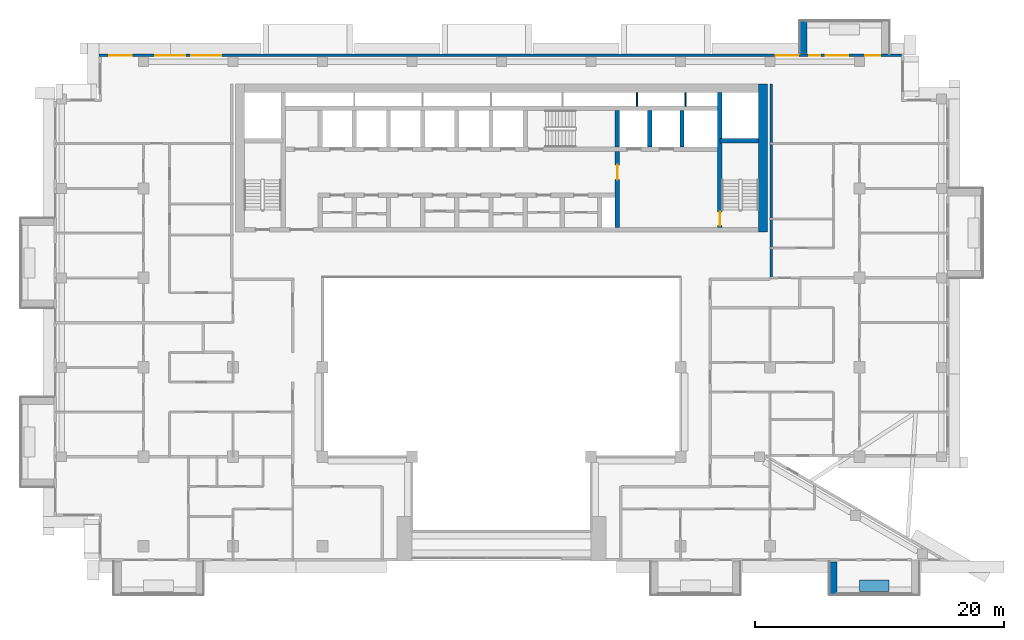
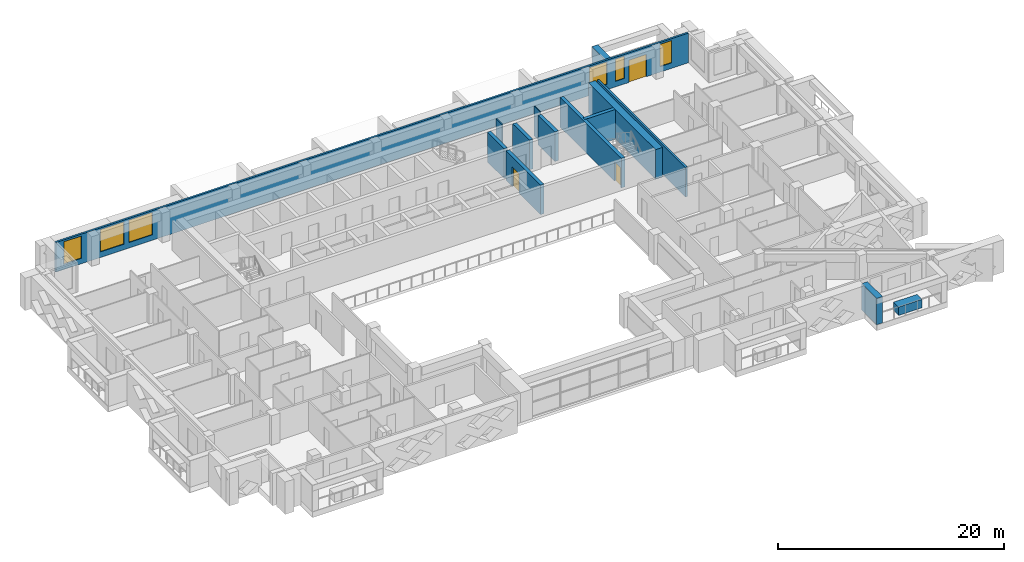
# One storey, part 11 of 20: 14 walls, 6 windows, 3 doors, 9 openings.
"""IFC4 building model written with IfcOpenShell, lengths in metres."""

from ifc_helpers import new_model, si_unit, direction, frame, frame_2d, origin, place, context, subcontext, project, spatial, rectangle, extrude, material, layer, layer_set, type_object, element, fill, save


model = new_model("IFC4")

# Units and contexts
model_context = context("Model", 3, precision=1e-05, world=origin(), true_north=direction((0.0, 1.0)))
body_context = subcontext(model_context, "Body", "Model", "MODEL_VIEW")
ifc_project = project(units=[si_unit("LENGTHUNIT", "METRE"), si_unit("AREAUNIT", "SQUARE_METRE"), si_unit("VOLUMEUNIT", "CUBIC_METRE"), si_unit("PLANEANGLEUNIT", "RADIAN"), si_unit("MASSUNIT", "GRAM", prefix="KILO")], contexts=[model_context])

# Site, building, storey
site_placement = place(None, origin())
site = spatial("IfcSite", under=ifc_project, at=site_placement, CompositionType="ELEMENT")
building_placement = place(site_placement, origin())
building = spatial("IfcBuilding", under=site, at=building_placement, Name="Saffron Iwan Residences", CompositionType="ELEMENT")
storey_placement = place(building_placement, frame((0.0, 0.0, 192.0)))
storey = spatial("IfcBuildingStorey", under=building, at=storey_placement, Name="L51", CompositionType="ELEMENT", Elevation=192.0)

# Walls
ifc_material_1 = material(Name="Concrete C50/60 white painted", Category="concrete")
ifc_layer_1 = layer(ifc_material_1, 0.60009765625)
ifc_layer_set_1 = layer_set([ifc_layer_1], Name="Concrete C50/60 white painted")
wall_type_1 = type_object("IfcWallType", Name="BALCONY FIN 600", PredefinedType="SOLIDWALL", material=ifc_layer_set_1)
for number, where, z_axis, x_axis, name in (
    (1, (74.699951171875, 80.449951171875, 0.0), (0.0, 0.0, 1.0), (0.0, 1.0, 0.0), "Balcony fin L51 F5-0b"),
    (2, (77.10009765625, 39.550048828125, 0.0), (0.0, 0.0, 1.0), (0.0, -1.0, 0.0), "Balcony fin L51 11-3a"),
):
    element("IfcWall", number, at=place(storey_placement, frame(where, z_axis=z_axis, x_axis=x_axis)), inside=storey, type_object=wall_type_1, Name=name, PredefinedType="SOLIDWALL", context=body_context, shape_type="SweptSolid", body=[
        extrude(rectangle(XDim=2.650146484375, YDim=0.60009765625, at=frame_2d((1.3251953125, 0.0))), origin(), (0.0, 0.0, 1.0), 2.85009765625),
    ])
ifc_material_2 = material(Name="Concrete C35/45 white painted", Category="concrete")
ifc_layer_2 = layer(ifc_material_2, 0.14990234375)
ifc_layer_set_2 = layer_set([ifc_layer_2], Name="Concrete C35/45 white painted")
wall_type_2 = type_object("IfcWallType", Name="BALCONY PLANTER", PredefinedType="SOLIDWALL", material=ifc_layer_set_2)
wall_1_placement = place(storey_placement, frame((79.199951171875, 37.625, 0.0), z_axis=(0.0, 0.0, 1.0), x_axis=(1.0, 0.0, 0.0)))
element("IfcWall", 3, at=wall_1_placement, inside=storey, type_object=wall_type_2, Name="PLANTER L51 11-3", PredefinedType="SOLIDWALL", context=body_context, shape_type="SweptSolid", body=[
    extrude(rectangle(XDim=2.400146484375, YDim=0.89990234375, at=frame_2d((1.2001953125, 0.0))), origin(), (0.0, 0.0, 1.0), 0.89990234375),
])

# Wall, openings, door, windows
ifc_material_3 = material(Name="Concrete C40/50", Category="concrete")
ifc_layer_3 = layer(ifc_material_3, 0.199951171875)
ifc_layer_set_3 = layer_set([ifc_layer_3], Name="Concrete C40/50")
wall_type_3 = type_object("IfcWallType", Name="EXTERNAL WALL 200", PredefinedType="SOLIDWALL", material=ifc_layer_set_3)
wall_2_placement = place(storey_placement, frame((82.60009765625, 80.300048828125, 0.0), z_axis=(0.0, 0.0, 1.0), x_axis=(-1.0, 0.0, 0.0)))
wall_2 = element("IfcWall", 4, at=wall_2_placement, inside=storey, type_object=wall_type_3, Name="External wall L51 F5.0", PredefinedType="SOLIDWALL", context=body_context, shape_type="SweptSolid", body=[
    extrude(rectangle(XDim=64.60009765625, YDim=0.199951171875, at=frame_2d((32.300048828125, 0.0))), origin(), (0.0, 0.0, 1.0), 3.199951171875),
])
opening_1_placement = place(wall_2_placement, frame((4.300048828125, 0.0, 0.0)))
opening_1 = element("IfcOpeningElement", 5, at=opening_1_placement, cuts=wall_2, Name="Opening BD1", PredefinedType="OPENING", context=body_context, shape_type="SweptSolid", body=[
    extrude(rectangle(XDim=1.800048828125, YDim=2.39990234375, at=frame_2d((0.89990234375, 1.199951171875))), frame((0.0, 0.10986328125, 0.0), z_axis=(0.0, -1.0, 0.0), x_axis=(1.0, 0.0, 0.0)), (0.0, 0.0, 1.0), 0.219970703125),
])
opening_2_placement = place(wall_2_placement, frame((54.75, 0.0, 0.60009765625)))
opening_2 = element("IfcOpeningElement", 6, at=opening_2_placement, cuts=wall_2, Name="Opening W1", PredefinedType="OPENING", context=body_context, shape_type="SweptSolid", body=[
    extrude(rectangle(XDim=2.39990234375, YDim=2.39990234375, at=frame_2d((1.199951171875, 1.199951171875))), frame((0.0, 0.10986328125, 0.0), z_axis=(0.0, -1.0, 0.0), x_axis=(1.0, 0.0, 0.0)), (0.0, 0.0, 1.0), 0.219970703125),
])
opening_3_placement = place(wall_2_placement, frame((57.64990234375, 0.0, 0.60009765625)))
opening_3 = element("IfcOpeningElement", 7, at=opening_3_placement, cuts=wall_2, Name="Opening W1", PredefinedType="OPENING", context=body_context, shape_type="SweptSolid", body=[
    extrude(rectangle(XDim=2.39990234375, YDim=2.39990234375, at=frame_2d((1.199951171875, 1.199951171875))), frame((0.0, 0.10986328125, 0.0), z_axis=(0.0, -1.0, 0.0), x_axis=(1.0, 0.0, 0.0)), (0.0, 0.0, 1.0), 0.219970703125),
])
opening_4_placement = place(wall_2_placement, frame((61.97509765625, 0.0, 0.60009765625)))
opening_4 = element("IfcOpeningElement", 8, at=opening_4_placement, cuts=wall_2, Name="Opening W8", PredefinedType="OPENING", context=body_context, shape_type="SweptSolid", body=[
    extrude(rectangle(XDim=1.800048828125, YDim=2.39990234375, at=frame_2d((0.89990234375, 1.199951171875))), frame((0.0, 0.10986328125, 0.0), z_axis=(0.0, -1.0, 0.0), x_axis=(1.0, 0.0, 0.0)), (0.0, 0.0, 1.0), 0.219970703125),
])
opening_5_placement = place(wall_2_placement, frame((1.72509765625, 0.0, 0.60009765625)))
opening_5 = element("IfcOpeningElement", 9, at=opening_5_placement, cuts=wall_2, Name="Opening W3", PredefinedType="OPENING", context=body_context, shape_type="SweptSolid", body=[
    extrude(rectangle(XDim=1.199951171875, YDim=2.39990234375, at=frame_2d((0.60009765625, 1.199951171875))), frame((0.0, 0.10986328125, 0.0), z_axis=(0.0, -1.0, 0.0), x_axis=(1.0, 0.0, 0.0)), (0.0, 0.0, 1.0), 0.219970703125),
])
opening_6_placement = place(wall_2_placement, frame((6.550048828125, 0.0, 0.60009765625)))
opening_6 = element("IfcOpeningElement", 10, at=opening_6_placement, cuts=wall_2, Name="Opening W10", PredefinedType="OPENING", context=body_context, shape_type="SweptSolid", body=[
    extrude(rectangle(XDim=0.89990234375, YDim=2.39990234375, at=frame_2d((0.449951171875, 1.199951171875))), frame((0.0, 0.10986328125, 0.0), z_axis=(0.0, -1.0, 0.0), x_axis=(1.0, 0.0, 0.0)), (0.0, 0.0, 1.0), 0.219970703125),
])
opening_7_placement = place(wall_2_placement, frame((8.324951171875, 0.0, 0.60009765625)))
opening_7 = element("IfcOpeningElement", 11, at=opening_7_placement, cuts=wall_2, Name="Opening W8", PredefinedType="OPENING", context=body_context, shape_type="SweptSolid", body=[
    extrude(rectangle(XDim=1.800048828125, YDim=2.39990234375, at=frame_2d((0.89990234375, 1.199951171875))), frame((0.0, 0.10986328125, 0.0), z_axis=(0.0, -1.0, 0.0), x_axis=(1.0, 0.0, 0.0)), (0.0, 0.0, 1.0), 0.219970703125),
])
ifc_material_4 = material(Name="Clear glass, laminated double glazed", Category="glass")
door_type_1 = type_object("IfcDoorType", Name="BALCONY DOOR 1800 x 2400", OperationType="DOUBLE_DOOR_SLIDING", PredefinedType="DOOR", material=ifc_material_4)
door_1_placement = place(opening_1_placement, origin())
door_1 = element("IfcDoor", 12, at=door_1_placement, inside=storey, type_object=door_type_1, Name="Balcony door L51 F5.0", OperationType="DOUBLE_DOOR_SLIDING", OverallHeight=2.39990234375, OverallWidth=1.800048828125, PredefinedType="DOOR", context=body_context, shape_type="SweptSolid", body=[
    extrude(rectangle(XDim=1.800048828125, YDim=2.39990234375, at=frame_2d((0.89990234375, 1.199951171875))), frame((0.0, 0.02490234375, 0.0), z_axis=(0.0, -1.0, 0.0), x_axis=(1.0, 0.0, 0.0)), (0.0, 0.0, 1.0), 0.050048828125),
])
fill(opening_1, door_1)
window_type_1 = type_object("IfcWindowType", Name="WINDOW 1200 x 2400", PartitioningType="SINGLE_PANEL", PredefinedType="WINDOW", material=ifc_material_4)
window_1_placement = place(opening_5_placement, origin())
window_1 = element("IfcWindow", 13, at=window_1_placement, inside=storey, type_object=window_type_1, Name="Window L51 F5.4", OverallHeight=2.39990234375, OverallWidth=1.199951171875, PartitioningType="SINGLE_PANEL", PredefinedType="WINDOW", context=body_context, shape_type="SweptSolid", body=[
    extrude(rectangle(XDim=1.199951171875, YDim=2.39990234375, at=frame_2d((0.60009765625, 1.199951171875))), frame((0.0, 0.030029296875, 0.0), z_axis=(0.0, -1.0, 0.0), x_axis=(1.0, 0.0, 0.0)), (0.0, 0.0, 1.0), 0.06005859375),
])
fill(opening_5, window_1)
window_type_2 = type_object("IfcWindowType", Name="WINDOW 1800 x 2400", PartitioningType="DOUBLE_PANEL_VERTICAL", PredefinedType="WINDOW", material=ifc_material_4)
window_2_placement = place(opening_4_placement, origin())
window_2 = element("IfcWindow", 14, at=window_2_placement, inside=storey, type_object=window_type_2, Name="Window L51 F5.3", OverallHeight=2.39990234375, OverallWidth=1.800048828125, PartitioningType="DOUBLE_PANEL_VERTICAL", PredefinedType="WINDOW", context=body_context, shape_type="SweptSolid", body=[
    extrude(rectangle(XDim=1.800048828125, YDim=2.39990234375, at=frame_2d((0.89990234375, 1.199951171875))), frame((0.0, 0.030029296875, 0.0), z_axis=(0.0, -1.0, 0.0), x_axis=(1.0, 0.0, 0.0)), (0.0, 0.0, 1.0), 0.06005859375),
])
fill(opening_4, window_2)
window_3_placement = place(opening_7_placement, origin())
window_3 = element("IfcWindow", 15, at=window_3_placement, inside=storey, type_object=window_type_2, Name="Window L51 F5.6", OverallHeight=2.39990234375, OverallWidth=1.800048828125, PartitioningType="DOUBLE_PANEL_VERTICAL", PredefinedType="WINDOW", context=body_context, shape_type="SweptSolid", body=[
    extrude(rectangle(XDim=1.800048828125, YDim=2.39990234375, at=frame_2d((0.89990234375, 1.199951171875))), frame((0.0, 0.030029296875, 0.0), z_axis=(0.0, -1.0, 0.0), x_axis=(1.0, 0.0, 0.0)), (0.0, 0.0, 1.0), 0.06005859375),
])
fill(opening_7, window_3)
window_type_3 = type_object("IfcWindowType", Name="WINDOW 2400 x 2400", PartitioningType="DOUBLE_PANEL_VERTICAL", PredefinedType="WINDOW", material=ifc_material_4)
window_4_placement = place(opening_2_placement, origin())
window_4 = element("IfcWindow", 16, at=window_4_placement, inside=storey, type_object=window_type_3, Name="Window L51 F5.1", OverallHeight=2.39990234375, OverallWidth=2.39990234375, PartitioningType="DOUBLE_PANEL_VERTICAL", PredefinedType="WINDOW", context=body_context, shape_type="SweptSolid", body=[
    extrude(rectangle(XDim=2.39990234375, YDim=2.39990234375, at=frame_2d((1.199951171875, 1.199951171875))), frame((0.0, 0.030029296875, 0.0), z_axis=(0.0, -1.0, 0.0), x_axis=(1.0, 0.0, 0.0)), (0.0, 0.0, 1.0), 0.06005859375),
])
fill(opening_2, window_4)
window_5_placement = place(opening_3_placement, origin())
window_5 = element("IfcWindow", 17, at=window_5_placement, inside=storey, type_object=window_type_3, Name="Window L51 F5.2", OverallHeight=2.39990234375, OverallWidth=2.39990234375, PartitioningType="DOUBLE_PANEL_VERTICAL", PredefinedType="WINDOW", context=body_context, shape_type="SweptSolid", body=[
    extrude(rectangle(XDim=2.39990234375, YDim=2.39990234375, at=frame_2d((1.199951171875, 1.199951171875))), frame((0.0, 0.030029296875, 0.0), z_axis=(0.0, -1.0, 0.0), x_axis=(1.0, 0.0, 0.0)), (0.0, 0.0, 1.0), 0.06005859375),
])
fill(opening_3, window_5)
window_type_4 = type_object("IfcWindowType", Name="WINDOW 900 x 2400", PartitioningType="SINGLE_PANEL", PredefinedType="WINDOW", material=ifc_material_4)
window_6_placement = place(opening_6_placement, origin())
window_6 = element("IfcWindow", 18, at=window_6_placement, inside=storey, type_object=window_type_4, Name="Window L51 F5.5", OverallHeight=2.39990234375, OverallWidth=0.89990234375, PartitioningType="SINGLE_PANEL", PredefinedType="WINDOW", context=body_context, shape_type="SweptSolid", body=[
    extrude(rectangle(XDim=0.89990234375, YDim=2.39990234375, at=frame_2d((0.449951171875, 1.199951171875))), frame((0.0, 0.030029296875, 0.0), z_axis=(0.0, -1.0, 0.0), x_axis=(1.0, 0.0, 0.0)), (0.0, 0.0, 1.0), 0.06005859375),
])
fill(opening_6, window_6)

# Walls
ifc_material_5 = material(Name="Fire-rated gypsum board wall")
ifc_layer_4 = layer(ifc_material_5, 0.199951171875)
ifc_layer_set_4 = layer_set([ifc_layer_4], Name="Fire-rated gypsum board wall")
wall_type_4 = type_object("IfcWallType", Name="Gallery wall 200", PredefinedType="SOLIDWALL", material=ifc_layer_set_4)
wall_3_placement = place(storey_placement, frame((72.10009765625, 62.39990234375, 0.0), z_axis=(0.0, 0.0, 1.0), x_axis=(0.0, 1.0, 0.0)))
element("IfcWall", 19, at=wall_3_placement, inside=storey, type_object=wall_type_4, Name="W-L51-CORR-v72-62.4", PredefinedType="SOLIDWALL", context=body_context, shape_type="SweptSolid", body=[
    extrude(rectangle(XDim=15.60009765625, YDim=0.199951171875, at=frame_2d((7.800048828125, 0.0))), origin(), (0.0, 0.0, 1.0), 3.199951171875),
])
ifc_material_6 = material(Name="Fire-rated plasterboard partition")
ifc_layer_5 = layer(ifc_material_6, 0.10009765625)
ifc_layer_set_5 = layer_set([ifc_layer_5], Name="Fire-rated plasterboard partition")
wall_type_5 = type_object("IfcWallType", Name="Riser partition 100", PredefinedType="PARTITIONING", material=ifc_layer_set_5)
for number, where, z_axis, x_axis, name in (
    (20, (61.300048828125, 76.22509765625, 0.0), (0.0, 0.0, 1.0), (0.0, 1.0, 0.0), "Core partition P12"),
    (21, (65.199951171875, 76.22509765625, 0.0), (0.0, 0.0, 1.0), (0.0, 1.0, 0.0), "Core partition P13"),
):
    element("IfcWall", number, at=place(storey_placement, frame(where, z_axis=z_axis, x_axis=x_axis)), inside=storey, type_object=wall_type_5, Name=name, PredefinedType="PARTITIONING", context=body_context, shape_type="SweptSolid", body=[
        extrude(rectangle(XDim=1.074951171875, YDim=0.10009765625, at=frame_2d((0.53759765625, 0.0))), origin(), (0.0, 0.0, 1.0), 3.199951171875),
    ])
ifc_material_7 = material(Name="Concrete C50/60", Category="concrete")
ifc_layer_6 = layer(ifc_material_7, 0.35009765625)
ifc_layer_set_6 = layer_set([ifc_layer_6], Name="Concrete C50/60")
wall_type_6 = type_object("IfcWallType", Name="WALL CORE 350 C50/60 3200 HIGH", PredefinedType="SHEAR", material=ifc_layer_set_6)
wall_4_placement = place(storey_placement, frame((67.97509765625, 73.425048828125, 0.0), z_axis=(0.0, 0.0, 1.0), x_axis=(1.0, 0.0, 0.0)))
element("IfcWall", 22, at=wall_4_placement, inside=storey, type_object=wall_type_6, Name="Core wall", PredefinedType="SHEAR", context=body_context, shape_type="SweptSolid", body=[
    extrude(rectangle(XDim=3.125, YDim=0.35009765625, at=frame_2d((1.5625, 0.0))), origin(), (0.0, 0.0, 1.0), 3.199951171875),
])

# Wall, opening, door
wall_5_placement = place(storey_placement, frame((67.97509765625, 66.449951171875, 0.0), z_axis=(0.0, 0.0, 1.0), x_axis=(0.0, 1.0, 0.0)))
wall_5 = element("IfcWall", 23, at=wall_5_placement, inside=storey, type_object=wall_type_6, Name="Core wall", PredefinedType="SHEAR", context=body_context, shape_type="SweptSolid", body=[
    extrude(rectangle(XDim=10.85009765625, YDim=0.35009765625, at=frame_2d((5.425048828125, 0.0))), origin(), (0.0, 0.0, 1.0), 3.199951171875),
])
opening_8_placement = place(wall_5_placement, frame((0.14990234375, 0.0, 0.0)))
opening_8 = element("IfcOpeningElement", 24, at=opening_8_placement, cuts=wall_5, Name="Opening SD", PredefinedType="OPENING", context=body_context, shape_type="SweptSolid", body=[
    extrude(rectangle(XDim=1.10009765625, YDim=2.10009765625, at=frame_2d((0.550048828125, 1.050048828125))), frame((0.0, 0.18505859375, 0.0), z_axis=(0.0, -1.0, 0.0), x_axis=(1.0, 0.0, 0.0)), (0.0, 0.0, 1.0), 0.3701171875),
])
ifc_material_8 = material(Name="Steel fire door", Category="steel")
door_type_2 = type_object("IfcDoorType", Name="Stair door 1100", OperationType="NOTDEFINED", PredefinedType="DOOR", material=ifc_material_8)
door_2_placement = place(opening_8_placement, origin())
door_2 = element("IfcDoor", 25, at=door_2_placement, inside=storey, type_object=door_type_2, Name="Stair door ST-E", OperationType="SINGLE_SWING_LEFT", OverallHeight=2.10009765625, OverallWidth=1.10009765625, PredefinedType="DOOR", context=body_context, shape_type="SweptSolid", body=[
    extrude(rectangle(XDim=1.10009765625, YDim=2.10009765625, at=frame_2d((0.550048828125, 1.050048828125))), frame((0.0, 0.02490234375, 0.0), z_axis=(0.0, -1.0, 0.0), x_axis=(1.0, 0.0, 0.0)), (0.0, 0.0, 1.0), 0.050048828125),
])
fill(opening_8, door_2)

wall_6_placement = place(storey_placement, frame((59.72509765625, 66.449951171875, 0.0), z_axis=(0.0, 0.0, 1.0), x_axis=(0.0, 1.0, 0.0)))
wall_6 = element("IfcWall", 26, at=wall_6_placement, inside=storey, type_object=wall_type_6, Name="Core wall", PredefinedType="SHEAR", context=body_context, shape_type="SweptSolid", body=[
    extrude(rectangle(XDim=6.125, YDim=0.35009765625, at=frame_2d((3.0625, 0.0))), origin(), (0.0, 0.0, 1.0), 3.199951171875),
])
opening_9_placement = place(wall_6_placement, frame((3.85009765625, 0.0, 0.0)))
opening_9 = element("IfcOpeningElement", 27, at=opening_9_placement, cuts=wall_6, Name="Opening FD", PredefinedType="OPENING", context=body_context, shape_type="SweptSolid", body=[
    extrude(rectangle(XDim=1.199951171875, YDim=2.10009765625, at=frame_2d((0.60009765625, 1.050048828125))), frame((0.0, 0.18505859375, 0.0), z_axis=(0.0, -1.0, 0.0), x_axis=(1.0, 0.0, 0.0)), (0.0, 0.0, 1.0), 0.3701171875),
])
door_type_3 = type_object("IfcDoorType", Name="Firefighting lobby door 1200", OperationType="NOTDEFINED", PredefinedType="DOOR", material=ifc_material_8)
door_3_placement = place(opening_9_placement, origin())
door_3 = element("IfcDoor", 28, at=door_3_placement, inside=storey, type_object=door_type_3, Name="Firefighting lobby door", OperationType="SINGLE_SWING_LEFT", OverallHeight=2.10009765625, OverallWidth=1.199951171875, PredefinedType="DOOR", context=body_context, shape_type="SweptSolid", body=[
    extrude(rectangle(XDim=1.199951171875, YDim=2.10009765625, at=frame_2d((0.60009765625, 1.050048828125))), frame((0.0, 0.02490234375, 0.0), z_axis=(0.0, -1.0, 0.0), x_axis=(1.0, 0.0, 0.0)), (0.0, 0.0, 1.0), 0.050048828125),
])
fill(opening_9, door_3)

# Walls
for number, where, z_axis, x_axis, name in (
    (29, (59.72509765625, 72.925048828125, 0.0), (0.0, 0.0, 1.0), (0.0, 1.0, 0.0), "Core wall"),
    (30, (62.324951171875, 72.925048828125, 0.0), (0.0, 0.0, 1.0), (0.0, 1.0, 0.0), "Core wall"),
    (31, (64.925048828125, 72.925048828125, 0.0), (0.0, 0.0, 1.0), (0.0, 1.0, 0.0), "Core wall"),
):
    element("IfcWall", number, at=place(storey_placement, frame(where, z_axis=z_axis, x_axis=x_axis)), inside=storey, type_object=wall_type_6, Name=name, PredefinedType="SHEAR", context=body_context, shape_type="SweptSolid", body=[
        extrude(rectangle(XDim=2.949951171875, YDim=0.35009765625, at=frame_2d((1.47509765625, 0.0))), origin(), (0.0, 0.0, 1.0), 3.199951171875),
    ])
ifc_layer_7 = layer(ifc_material_7, 0.699951171875)
ifc_layer_set_7 = layer_set([ifc_layer_7], Name="Concrete C50/60")
wall_type_7 = type_object("IfcWallType", Name="WALL CORE 700 C50/60 3200 HIGH", PredefinedType="SHEAR", material=ifc_layer_set_7)
wall_7_placement = place(storey_placement, frame((71.449951171875, 66.10009765625, 0.0), z_axis=(0.0, 0.0, 1.0), x_axis=(0.0, 1.0, 0.0)))
element("IfcWall", 32, at=wall_7_placement, inside=storey, type_object=wall_type_7, Name="Core wall", PredefinedType="SHEAR", context=body_context, shape_type="SweptSolid", body=[
    extrude(rectangle(XDim=11.89990234375, YDim=0.699951171875, at=frame_2d((5.949951171875, 0.0))), origin(), (0.0, 0.0, 1.0), 3.199951171875),
])

save(model, "model.ifc")
